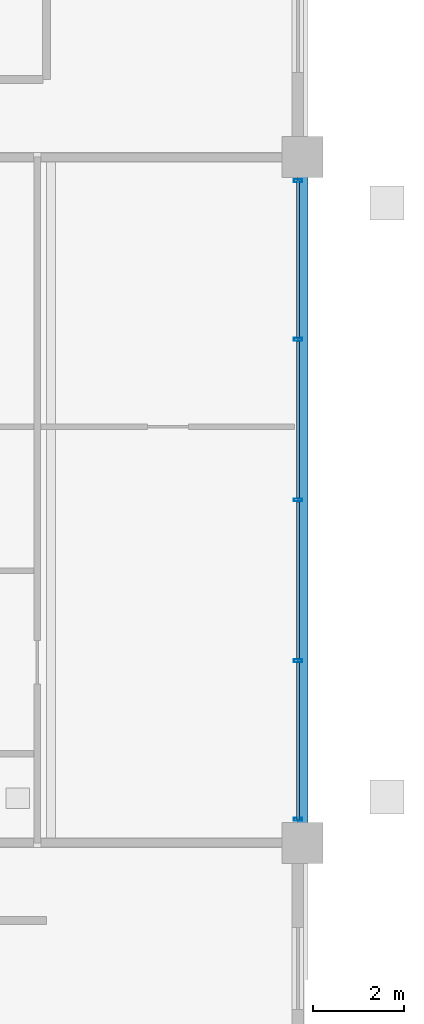
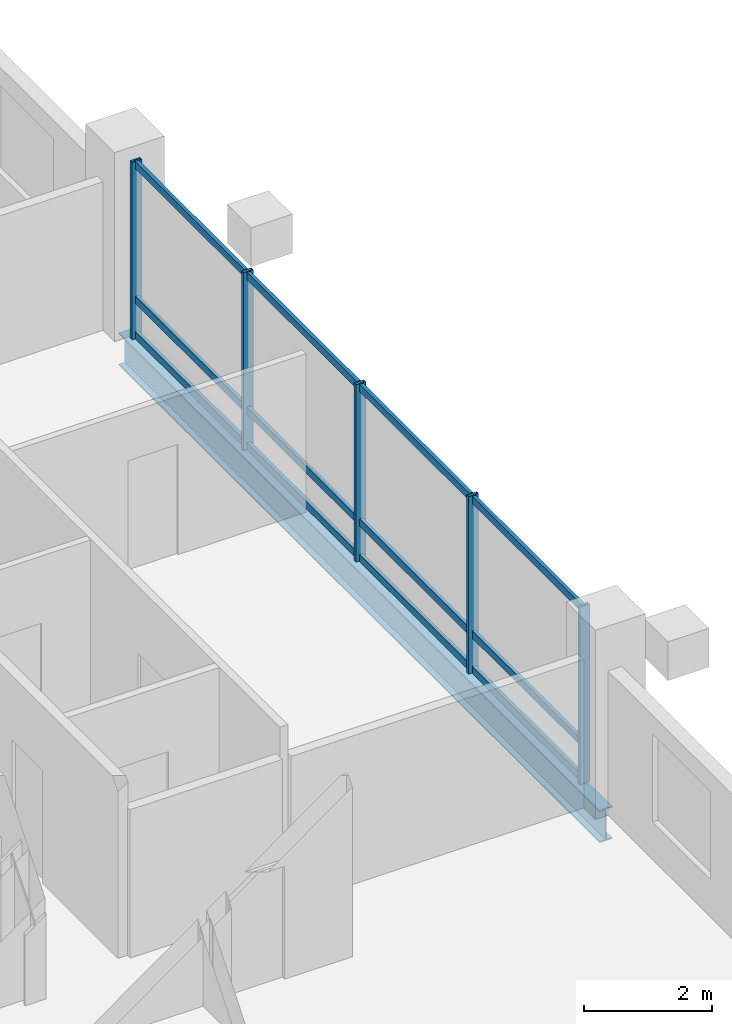
# One storey, part 10 of 21: 17 members, 1 beam, 1 element without a shape of its own.
"""IFC4 building model written with IfcOpenShell, lengths in metres."""

from ifc_helpers import new_model, si_unit, direction, frame, origin, origin_2d, place, context, subcontext, project, spatial, hollow_rectangle, i_section, extrude, material, layer, layer_set, material_profile, profile_set, type_object, element, aggregate, save


model = new_model("IFC4")

# Units and contexts
model_context = context("Model", 3, precision=1e-05, world=origin(), true_north=direction((0.0, 1.0)))
body_context = subcontext(model_context, "Body", "Model", "MODEL_VIEW")
ifc_project = project(units=[si_unit("LENGTHUNIT", "METRE"), si_unit("AREAUNIT", "SQUARE_METRE"), si_unit("VOLUMEUNIT", "CUBIC_METRE"), si_unit("PLANEANGLEUNIT", "RADIAN"), si_unit("MASSUNIT", "GRAM", prefix="KILO")], contexts=[model_context])

# Site, building, storey
site_placement = place(None, origin())
site = spatial("IfcSite", under=ifc_project, at=site_placement, CompositionType="ELEMENT")
building_placement = place(site_placement, origin())
building = spatial("IfcBuilding", under=site, at=building_placement, Name="Barlavira Tower and Art Museum", CompositionType="ELEMENT")
storey_placement = place(building_placement, frame((0.0, 0.0, 276.300048828125)))
storey = spatial("IfcBuildingStorey", under=building, at=storey_placement, Name="L72", CompositionType="ELEMENT", Elevation=276.300048828125)

# Curtain wall, members
ifc_material_1 = material(Name="Low-iron coastal laminated glass", Category="glass")
ifc_layer = layer(ifc_material_1, 0.2099609375, Name="Low-iron coastal laminated glass")
ifc_layer_set = layer_set([ifc_layer], Name="Low-iron coastal laminated glass")
curtain_wall_type = type_object("IfcCurtainWallType", Name="Pale-Metal Unitised Curtain Wall Zone 4", PredefinedType="NOTDEFINED", material=ifc_layer_set)
curtain_wall_placement = place(storey_placement, origin())
curtain_wall = element("IfcCurtainWall", 1, at=curtain_wall_placement, inside=storey, type_object=curtain_wall_type, Name="L72 Curtain Wall CW4-L72-E-B3", PredefinedType="NOTDEFINED")
ifc_material_2 = material(Name="Pale anodised aluminium", Category="aluminium")
ifc_material_profile_1 = material_profile(ifc_material_2, hollow_rectangle(XDim=0.06494140625, YDim=0.179931640625, WallThickness=0.00390625, at=origin_2d()), Name="ALU-MULL 65x180x4")
ifc_profile_set_1 = profile_set([ifc_material_profile_1], Name="Pale anodised aluminium")
member_type_1 = type_object("IfcMemberType", Name="Curtain Wall Pale-Metal Mullion 65x180", PredefinedType="MULLION", material=ifc_profile_set_1)
member_1_placement = place(storey_placement, frame((16.89990234375, -6.985107421875, 0.0), z_axis=(0.0, 0.0, 1.0), x_axis=(0.0, 1.0, 0.0)))
member_1 = element("IfcMember", 2, at=member_1_placement, type_object=member_type_1, Name="CW4-L72-E-B3 Mullion 0", PredefinedType="MULLION", context=body_context, shape_type="SweptSolid", body=[
    extrude(hollow_rectangle(XDim=0.06494140625, YDim=0.179931640625, WallThickness=0.00390625, at=origin_2d()), origin(), (0.0, 0.0, 1.0), 3.3798828125),
])
member_2_placement = place(storey_placement, frame((16.89990234375, -3.514892578125, 0.0), z_axis=(0.0, 0.0, 1.0), x_axis=(0.0, 1.0, 0.0)))
member_2 = element("IfcMember", 3, at=member_2_placement, type_object=member_type_1, Name="CW4-L72-E-B3 Mullion 1", PredefinedType="MULLION", context=body_context, shape_type="SweptSolid", body=[
    extrude(hollow_rectangle(XDim=0.06494140625, YDim=0.179931640625, WallThickness=0.00390625, at=origin_2d()), origin(), (0.0, 0.0, 1.0), 3.3798828125),
])
member_3_placement = place(storey_placement, frame((16.89990234375, 0.0, 0.0), z_axis=(0.0, 0.0, 1.0), x_axis=(0.0, 1.0, 0.0)))
member_3 = element("IfcMember", 4, at=member_3_placement, type_object=member_type_1, Name="CW4-L72-E-B3 Mullion 2", PredefinedType="MULLION", context=body_context, shape_type="SweptSolid", body=[
    extrude(hollow_rectangle(XDim=0.06494140625, YDim=0.179931640625, WallThickness=0.00390625, at=origin_2d()), origin(), (0.0, 0.0, 1.0), 3.3798828125),
])
member_4_placement = place(storey_placement, frame((16.89990234375, 3.514892578125, 0.0), z_axis=(0.0, 0.0, 1.0), x_axis=(0.0, 1.0, 0.0)))
member_4 = element("IfcMember", 5, at=member_4_placement, type_object=member_type_1, Name="CW4-L72-E-B3 Mullion 3", PredefinedType="MULLION", context=body_context, shape_type="SweptSolid", body=[
    extrude(hollow_rectangle(XDim=0.06494140625, YDim=0.179931640625, WallThickness=0.00390625, at=origin_2d()), origin(), (0.0, 0.0, 1.0), 3.3798828125),
])
member_5_placement = place(storey_placement, frame((16.89990234375, 6.985107421875, 0.0), z_axis=(0.0, 0.0, 1.0), x_axis=(0.0, 1.0, 0.0)))
member_5 = element("IfcMember", 6, at=member_5_placement, type_object=member_type_1, Name="CW4-L72-E-B3 Mullion 4", PredefinedType="MULLION", context=body_context, shape_type="SweptSolid", body=[
    extrude(hollow_rectangle(XDim=0.06494140625, YDim=0.179931640625, WallThickness=0.00390625, at=origin_2d()), origin(), (0.0, 0.0, 1.0), 3.3798828125),
])
ifc_material_profile_2 = material_profile(ifc_material_2, hollow_rectangle(XDim=0.06494140625, YDim=0.139892578125, WallThickness=0.00390625, at=origin_2d()), Name="ALU-TRAN 65x140x4")
ifc_profile_set_2 = profile_set([ifc_material_profile_2], Name="Pale anodised aluminium")
member_type_2 = type_object("IfcMemberType", Name="Curtain Wall Pale-Metal Transom 65x140", PredefinedType="USERDEFINED", material=ifc_profile_set_2)
member_6_placement = place(storey_placement, frame((16.89990234375, -6.985107421875, 0.070068359375), z_axis=(0.0, 1.0, 0.0), x_axis=(-1.0, 0.0, 0.0)))
member_6 = element("IfcMember", 7, at=member_6_placement, type_object=member_type_2, Name="CW4-L72-E-B3 Transom 0.1", ObjectType="TRANSOM", PredefinedType="USERDEFINED", context=body_context, shape_type="SweptSolid", body=[
    extrude(hollow_rectangle(XDim=0.06494140625, YDim=0.139892578125, WallThickness=0.00390625, at=origin_2d()), origin(), (0.0, 0.0, 1.0), 3.425048828125),
])
member_7_placement = place(storey_placement, frame((16.89990234375, -6.985107421875, 0.743896484375), z_axis=(0.0, 1.0, 0.0), x_axis=(-1.0, 0.0, 0.0)))
member_7 = element("IfcMember", 8, at=member_7_placement, type_object=member_type_2, Name="CW4-L72-E-B3 Transom 0.2", ObjectType="TRANSOM", PredefinedType="USERDEFINED", context=body_context, shape_type="SweptSolid", body=[
    extrude(hollow_rectangle(XDim=0.06494140625, YDim=0.139892578125, WallThickness=0.00390625, at=origin_2d()), origin(), (0.0, 0.0, 1.0), 3.425048828125),
])
member_8_placement = place(storey_placement, frame((16.89990234375, -6.985107421875, 3.31005859375), z_axis=(0.0, 1.0, 0.0), x_axis=(-1.0, 0.0, 0.0)))
member_8 = element("IfcMember", 9, at=member_8_placement, type_object=member_type_2, Name="CW4-L72-E-B3 Transom 0.3", ObjectType="TRANSOM", PredefinedType="USERDEFINED", context=body_context, shape_type="SweptSolid", body=[
    extrude(hollow_rectangle(XDim=0.06494140625, YDim=0.139892578125, WallThickness=0.00390625, at=origin_2d()), origin(), (0.0, 0.0, 1.0), 3.425048828125),
])
member_9_placement = place(storey_placement, frame((16.89990234375, -3.469970703125, 0.070068359375), z_axis=(0.0, 1.0, 0.0), x_axis=(-1.0, 0.0, 0.0)))
member_9 = element("IfcMember", 10, at=member_9_placement, type_object=member_type_2, Name="CW4-L72-E-B3 Transom 1.1", ObjectType="TRANSOM", PredefinedType="USERDEFINED", context=body_context, shape_type="SweptSolid", body=[
    extrude(hollow_rectangle(XDim=0.06494140625, YDim=0.139892578125, WallThickness=0.00390625, at=origin_2d()), origin(), (0.0, 0.0, 1.0), 3.425048828125),
])
member_10_placement = place(storey_placement, frame((16.89990234375, -3.469970703125, 0.743896484375), z_axis=(0.0, 1.0, 0.0), x_axis=(-1.0, 0.0, 0.0)))
member_10 = element("IfcMember", 11, at=member_10_placement, type_object=member_type_2, Name="CW4-L72-E-B3 Transom 1.2", ObjectType="TRANSOM", PredefinedType="USERDEFINED", context=body_context, shape_type="SweptSolid", body=[
    extrude(hollow_rectangle(XDim=0.06494140625, YDim=0.139892578125, WallThickness=0.00390625, at=origin_2d()), origin(), (0.0, 0.0, 1.0), 3.425048828125),
])
member_11_placement = place(storey_placement, frame((16.89990234375, -3.469970703125, 3.31005859375), z_axis=(0.0, 1.0, 0.0), x_axis=(-1.0, 0.0, 0.0)))
member_11 = element("IfcMember", 12, at=member_11_placement, type_object=member_type_2, Name="CW4-L72-E-B3 Transom 1.3", ObjectType="TRANSOM", PredefinedType="USERDEFINED", context=body_context, shape_type="SweptSolid", body=[
    extrude(hollow_rectangle(XDim=0.06494140625, YDim=0.139892578125, WallThickness=0.00390625, at=origin_2d()), origin(), (0.0, 0.0, 1.0), 3.425048828125),
])
member_12_placement = place(storey_placement, frame((16.89990234375, 0.044921875, 0.070068359375), z_axis=(0.0, 1.0, 0.0), x_axis=(-1.0, 0.0, 0.0)))
member_12 = element("IfcMember", 13, at=member_12_placement, type_object=member_type_2, Name="CW4-L72-E-B3 Transom 2.1", ObjectType="TRANSOM", PredefinedType="USERDEFINED", context=body_context, shape_type="SweptSolid", body=[
    extrude(hollow_rectangle(XDim=0.06494140625, YDim=0.139892578125, WallThickness=0.00390625, at=origin_2d()), origin(), (0.0, 0.0, 1.0), 3.425048828125),
])
member_13_placement = place(storey_placement, frame((16.89990234375, 0.044921875, 0.743896484375), z_axis=(0.0, 1.0, 0.0), x_axis=(-1.0, 0.0, 0.0)))
member_13 = element("IfcMember", 14, at=member_13_placement, type_object=member_type_2, Name="CW4-L72-E-B3 Transom 2.2", ObjectType="TRANSOM", PredefinedType="USERDEFINED", context=body_context, shape_type="SweptSolid", body=[
    extrude(hollow_rectangle(XDim=0.06494140625, YDim=0.139892578125, WallThickness=0.00390625, at=origin_2d()), origin(), (0.0, 0.0, 1.0), 3.425048828125),
])
member_14_placement = place(storey_placement, frame((16.89990234375, 0.044921875, 3.31005859375), z_axis=(0.0, 1.0, 0.0), x_axis=(-1.0, 0.0, 0.0)))
member_14 = element("IfcMember", 15, at=member_14_placement, type_object=member_type_2, Name="CW4-L72-E-B3 Transom 2.3", ObjectType="TRANSOM", PredefinedType="USERDEFINED", context=body_context, shape_type="SweptSolid", body=[
    extrude(hollow_rectangle(XDim=0.06494140625, YDim=0.139892578125, WallThickness=0.00390625, at=origin_2d()), origin(), (0.0, 0.0, 1.0), 3.425048828125),
])
member_15_placement = place(storey_placement, frame((16.89990234375, 3.56005859375, 0.070068359375), z_axis=(0.0, 1.0, 0.0), x_axis=(-1.0, 0.0, 0.0)))
member_15 = element("IfcMember", 16, at=member_15_placement, type_object=member_type_2, Name="CW4-L72-E-B3 Transom 3.1", ObjectType="TRANSOM", PredefinedType="USERDEFINED", context=body_context, shape_type="SweptSolid", body=[
    extrude(hollow_rectangle(XDim=0.06494140625, YDim=0.139892578125, WallThickness=0.00390625, at=origin_2d()), origin(), (0.0, 0.0, 1.0), 3.425048828125),
])
member_16_placement = place(storey_placement, frame((16.89990234375, 3.56005859375, 0.743896484375), z_axis=(0.0, 1.0, 0.0), x_axis=(-1.0, 0.0, 0.0)))
member_16 = element("IfcMember", 17, at=member_16_placement, type_object=member_type_2, Name="CW4-L72-E-B3 Transom 3.2", ObjectType="TRANSOM", PredefinedType="USERDEFINED", context=body_context, shape_type="SweptSolid", body=[
    extrude(hollow_rectangle(XDim=0.06494140625, YDim=0.139892578125, WallThickness=0.00390625, at=origin_2d()), origin(), (0.0, 0.0, 1.0), 3.425048828125),
])
member_17_placement = place(storey_placement, frame((16.89990234375, 3.56005859375, 3.31005859375), z_axis=(0.0, 1.0, 0.0), x_axis=(-1.0, 0.0, 0.0)))
member_17 = element("IfcMember", 18, at=member_17_placement, type_object=member_type_2, Name="CW4-L72-E-B3 Transom 3.3", ObjectType="TRANSOM", PredefinedType="USERDEFINED", context=body_context, shape_type="SweptSolid", body=[
    extrude(hollow_rectangle(XDim=0.06494140625, YDim=0.139892578125, WallThickness=0.00390625, at=origin_2d()), origin(), (0.0, 0.0, 1.0), 3.425048828125),
])
aggregate(curtain_wall, [member_1, member_2, member_3, member_4, member_5, member_6, member_7, member_8, member_9, member_10, member_11, member_12, member_13, member_14, member_15, member_16, member_17])

# Beam
ifc_material_3 = material(Name="Steel S355", Category="steel")
ifc_material_profile_3 = material_profile(ifc_material_3, i_section(OverallWidth=0.22998046875, OverallDepth=0.616943359375, WebThickness=0.01318359375, FlangeThickness=0.022216796875, at=origin_2d()), Name="W610x140.0")
ifc_profile_set_3 = profile_set([ifc_material_profile_3], Name="Steel S355")
beam_type = type_object("IfcBeamType", Name="Upper Shaft Spandrel Edge Beam W610x140 Steel S355", PredefinedType="SPANDREL", material=ifc_profile_set_3)
beam_placement = place(storey_placement, frame((17.0, -7.5, -0.528564453125), z_axis=(0.0, 1.0, 0.0), x_axis=(-1.0, 0.0, 0.0)))
element("IfcBeam", 19, at=beam_placement, inside=storey, type_object=beam_type, Name="L72 Spandrel 6", PredefinedType="SPANDREL", context=body_context, shape_type="SweptSolid", body=[
    extrude(i_section(OverallWidth=0.22998046875, OverallDepth=0.616943359375, WebThickness=0.01318359375, FlangeThickness=0.022216796875, at=origin_2d()), origin(), (0.0, 0.0, 1.0), 15.0),
])

save(model, "model.ifc")
